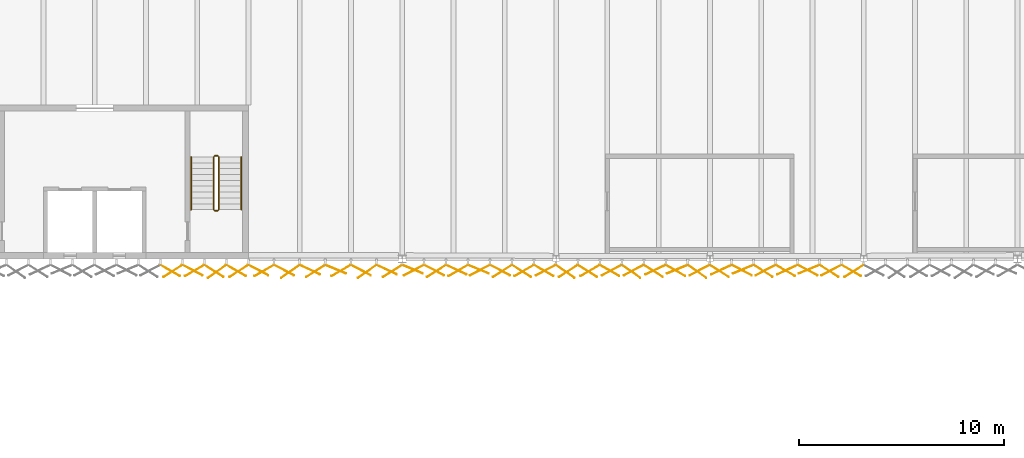
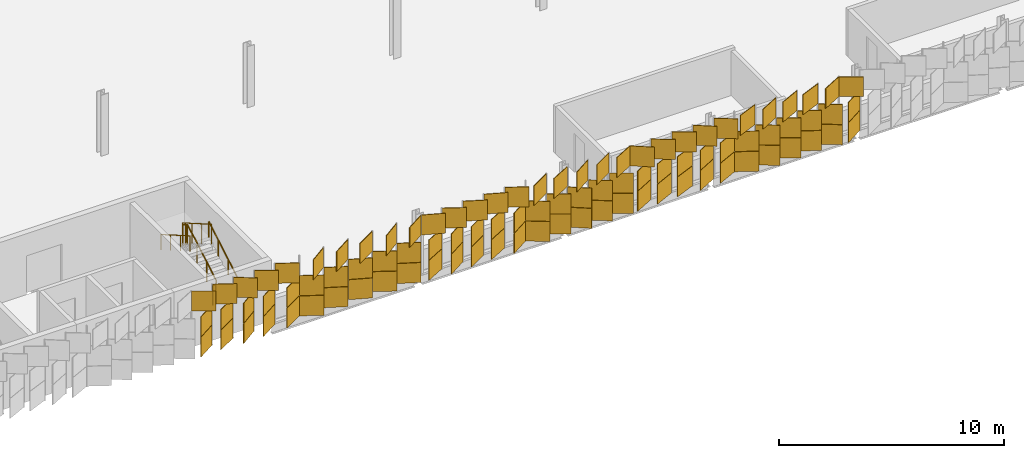
# One storey, part 183 of 198: 93 coverings, 6 railings.
"""IFC4 building model written with IfcOpenShell, lengths in metres."""

from ifc_helpers import new_model, si_unit, direction, frame, origin, origin_2d, place, context, subcontext, project, spatial, rectangle, circle, extrude, material, layer, layer_set, type_object, element, save


model = new_model("IFC4")

# Units and contexts
model_context = context("Model", 3, precision=1e-05, world=origin(), true_north=direction((0.0, 1.0)))
body_context = subcontext(model_context, "Body", "Model", "MODEL_VIEW")
ifc_project = project(units=[si_unit("LENGTHUNIT", "METRE"), si_unit("AREAUNIT", "SQUARE_METRE"), si_unit("VOLUMEUNIT", "CUBIC_METRE"), si_unit("PLANEANGLEUNIT", "RADIAN"), si_unit("MASSUNIT", "GRAM", prefix="KILO")], contexts=[model_context])

# Site, building, storey
site_placement = place(None, origin())
site = spatial("IfcSite", under=ifc_project, at=site_placement, CompositionType="ELEMENT")
building_placement = place(site_placement, origin())
building = spatial("IfcBuilding", under=site, at=building_placement, Name="Parallax Yard Mobility Hub", CompositionType="ELEMENT")
storey_placement = place(building_placement, frame((0.0, 0.0, 6.60009765625)))
storey = spatial("IfcBuildingStorey", under=building, at=storey_placement, Name="L02", CompositionType="ELEMENT", Elevation=6.60009765625)

# Coverings
ifc_material_1 = material(Name="Aluminium panel, champagne finish", Category="aluminium")
ifc_layer_1 = layer(ifc_material_1, 0.030029296875)
ifc_layer_set_1 = layer_set([ifc_layer_1], Name="Skin panel 22.5 degree turn, champagne finish")
covering_type_1 = type_object("IfcCoveringType", Name="Skin panel 22.5 degree turn, champagne finish", PredefinedType="CLADDING", material=ifc_layer_set_1)
for number, where, z_axis, x_axis, name in (
    (1, (86.755615234375, 111.987060546875, 1.119873046875), (0.0, 0.0, 1.0), (0.923879532511, -0.382683432365, 0.0), "Skin panel 22.5 bay 7.4 row 2 level L02"),
    (2, (90.50341796875, 111.987060546875, 2.219970703125), (0.0, 0.0, 1.0), (0.923879532511, -0.382683432365, 0.0), "Skin panel 22.5 bay 8.1 row 3 level L02"),
    (3, (93.718017578125, 111.987060546875, 2.219970703125), (0.0, 0.0, 1.0), (0.923879532511, -0.382683432365, 0.0), "Skin panel 22.5 bay 8.4 row 3 level L02"),
    (4, (103.40478515625, 111.987060546875, 1.119873046875), (0.0, 0.0, 1.0), (-0.923879532511, -0.382683432365, 0.0), "Skin panel 22.5 bay 9.6 row 2 level L02"),
    (5, (106.619384765625, 111.987060546875, 2.219970703125), (0.0, 0.0, 1.0), (-0.923879532511, -0.382683432365, 0.0), "Skin panel 22.5 bay 10.2 row 3 level L02"),
    (6, (109.833984375, 111.987060546875, 2.219970703125), (0.0, 0.0, 1.0), (-0.923879532511, -0.382683432365, 0.0), "Skin panel 22.5 bay 10.5 row 3 level L02"),
):
    element("IfcCovering", number, at=place(storey_placement, frame(where, z_axis=z_axis, x_axis=x_axis)), inside=storey, type_object=covering_type_1, Name=name, ObjectType="SCREEN", PredefinedType="CLADDING", context=body_context, shape_type="SweptSolid", body=[
        extrude(rectangle(XDim=1.080078125, YDim=0.030029296875, at=origin_2d()), origin(), (0.0, 0.0, 1.0), 1.080078125),
    ])
ifc_material_2 = material(Name="Aluminium panel, light oak finish", Category="aluminium")
ifc_layer_2 = layer(ifc_material_2, 0.030029296875)
ifc_layer_set_2 = layer_set([ifc_layer_2], Name="Skin panel 22.5 degree turn, oak finish")
covering_type_2 = type_object("IfcCoveringType", Name="Skin panel 22.5 degree turn, oak finish", PredefinedType="CLADDING", material=ifc_layer_set_2)
for number, where, z_axis, x_axis, name in (
    (7, (86.755615234375, 111.987060546875, 0.019775390625), (0.0, 0.0, 1.0), (0.923879532511, -0.382683432365, 0.0), "Skin panel 22.5 bay 7.4 row 1 level L02"),
    (8, (103.40478515625, 111.987060546875, 0.019775390625), (0.0, 0.0, 1.0), (-0.923879532511, -0.382683432365, 0.0), "Skin panel 22.5 bay 9.6 row 1 level L02"),
):
    element("IfcCovering", number, at=place(storey_placement, frame(where, z_axis=z_axis, x_axis=x_axis)), inside=storey, type_object=covering_type_2, Name=name, ObjectType="SCREEN", PredefinedType="CLADDING", context=body_context, shape_type="SweptSolid", body=[
        extrude(rectangle(XDim=1.080078125, YDim=0.030029296875, at=origin_2d()), origin(), (0.0, 0.0, 1.0), 1.080078125),
    ])
ifc_layer_3 = layer(ifc_material_1, 0.030029296875)
ifc_layer_set_3 = layer_set([ifc_layer_3], Name="Skin panel 25 degree turn, champagne finish")
covering_type_3 = type_object("IfcCoveringType", Name="Skin panel 25 degree turn, champagne finish", PredefinedType="CLADDING", material=ifc_layer_set_3)
for number, where, z_axis, x_axis, name in (
    (9, (85.49658203125, 111.96484375, 1.119873046875), (0.0, 0.0, 1.0), (0.906307787037, -0.422618261741, 0.0), "Skin panel 25 bay 7.3 row 2 level L02"),
    (10, (89.244384765625, 111.96484375, 1.119873046875), (0.0, 0.0, 1.0), (0.906307787037, -0.422618261741, 0.0), "Skin panel 25 bay 7.6 row 2 level L02"),
    (11, (92.63671875, 111.96484375, 2.219970703125), (0.0, 0.0, 1.0), (0.906307787037, -0.422618261741, 0.0), "Skin panel 25 bay 8.3 row 3 level L02"),
    (12, (102.34326171875, 111.96484375, 1.119873046875), (0.0, 0.0, 1.0), (-0.906307787037, -0.422618261741, 0.0), "Skin panel 25 bay 9.5 row 2 level L02"),
    (13, (105.5576171875, 111.96484375, 1.119873046875), (0.0, 0.0, 1.0), (-0.906307787037, -0.422618261741, 0.0), "Skin panel 25 bay 10.1 row 2 level L02"),
    (14, (108.772216796875, 111.96484375, 2.219970703125), (0.0, 0.0, 1.0), (-0.906307787037, -0.422618261741, 0.0), "Skin panel 25 bay 10.4 row 3 level L02"),
):
    element("IfcCovering", number, at=place(storey_placement, frame(where, z_axis=z_axis, x_axis=x_axis)), inside=storey, type_object=covering_type_3, Name=name, ObjectType="SCREEN", PredefinedType="CLADDING", context=body_context, shape_type="SweptSolid", body=[
        extrude(rectangle(XDim=1.080078125, YDim=0.030029296875, at=origin_2d()), origin(), (0.0, 0.0, 1.0), 1.080078125),
    ])
ifc_layer_4 = layer(ifc_material_2, 0.030029296875)
ifc_layer_set_4 = layer_set([ifc_layer_4], Name="Skin panel 25 degree turn, oak finish")
covering_type_4 = type_object("IfcCoveringType", Name="Skin panel 25 degree turn, oak finish", PredefinedType="CLADDING", material=ifc_layer_set_4)
for number, where, z_axis, x_axis, name in (
    (15, (85.49658203125, 111.96484375, 0.019775390625), (0.0, 0.0, 1.0), (0.906307787037, -0.422618261741, 0.0), "Skin panel 25 bay 7.3 row 1 level L02"),
    (16, (89.244384765625, 111.96484375, 0.019775390625), (0.0, 0.0, 1.0), (0.906307787037, -0.422618261741, 0.0), "Skin panel 25 bay 7.6 row 1 level L02"),
    (17, (102.34326171875, 111.96484375, 0.019775390625), (0.0, 0.0, 1.0), (-0.906307787037, -0.422618261741, 0.0), "Skin panel 25 bay 9.5 row 1 level L02"),
    (18, (105.5576171875, 111.96484375, 0.019775390625), (0.0, 0.0, 1.0), (-0.906307787037, -0.422618261741, 0.0), "Skin panel 25 bay 10.1 row 1 level L02"),
):
    element("IfcCovering", number, at=place(storey_placement, frame(where, z_axis=z_axis, x_axis=x_axis)), inside=storey, type_object=covering_type_4, Name=name, ObjectType="SCREEN", PredefinedType="CLADDING", context=body_context, shape_type="SweptSolid", body=[
        extrude(rectangle(XDim=1.080078125, YDim=0.030029296875, at=origin_2d()), origin(), (0.0, 0.0, 1.0), 1.080078125),
    ])
ifc_layer_5 = layer(ifc_material_1, 0.030029296875)
ifc_layer_set_5 = layer_set([ifc_layer_5], Name="Skin panel 27.5 degree turn, champagne finish")
covering_type_5 = type_object("IfcCoveringType", Name="Skin panel 27.5 degree turn, champagne finish", PredefinedType="CLADDING", material=ifc_layer_set_5)
for number, where, z_axis, x_axis, name in (
    (19, (79.770751953125, 111.943115234375, 2.219970703125), (0.0, 0.0, 1.0), (0.887010833178, -0.461748613235, 0.0), "Skin panel 27.5 bay 6.12 row 3 level L02"),
    (20, (82.9873046875, 111.943115234375, 2.219970703125), (0.0, 0.0, 1.0), (0.887010833178, -0.461748613235, 0.0), "Skin panel 27.5 bay 7.1 row 3 level L02"),
    (21, (84.236572265625, 111.943115234375, 1.119873046875), (0.0, 0.0, 1.0), (0.887010833178, -0.461748613235, 0.0), "Skin panel 27.5 bay 7.2 row 2 level L02"),
    (22, (87.984375, 111.943115234375, 1.119873046875), (0.0, 0.0, 1.0), (0.887010833178, -0.461748613235, 0.0), "Skin panel 27.5 bay 7.5 row 2 level L02"),
    (23, (90.5673828125, 111.943115234375, 1.119873046875), (0.0, 0.0, 1.0), (-0.887010833178, -0.461748613235, 0.0), "Skin panel 27.5 bay 8.1 row 2 level L02"),
    (24, (91.554443359375, 111.943115234375, 2.219970703125), (0.0, 0.0, 1.0), (0.887010833178, -0.461748613235, 0.0), "Skin panel 27.5 bay 8.2 row 3 level L02"),
    (25, (93.781982421875, 111.943115234375, 1.119873046875), (0.0, 0.0, 1.0), (-0.887010833178, -0.461748613235, 0.0), "Skin panel 27.5 bay 8.4 row 2 level L02"),
    (26, (94.768798828125, 111.943115234375, 2.219970703125), (0.0, 0.0, 1.0), (0.887010833178, -0.461748613235, 0.0), "Skin panel 27.5 bay 8.5 row 3 level L02"),
    (27, (96.996337890625, 111.943115234375, 2.219970703125), (0.0, 0.0, 1.0), (-0.887010833178, -0.461748613235, 0.0), "Skin panel 27.5 bay 8.7 row 3 level L02"),
    (28, (100.2109375, 111.943115234375, 2.219970703125), (0.0, 0.0, 1.0), (-0.887010833178, -0.461748613235, 0.0), "Skin panel 27.5 bay 9.3 row 3 level L02"),
    (29, (101.282470703125, 111.943115234375, 1.119873046875), (0.0, 0.0, 1.0), (-0.887010833178, -0.461748613235, 0.0), "Skin panel 27.5 bay 9.4 row 2 level L02"),
    (30, (104.496826171875, 111.943115234375, 1.119873046875), (0.0, 0.0, 1.0), (-0.887010833178, -0.461748613235, 0.0), "Skin panel 27.5 bay 9.7 row 2 level L02"),
    (31, (106.555419921875, 111.943115234375, 1.119873046875), (0.0, 0.0, 1.0), (0.887010833178, -0.461748613235, 0.0), "Skin panel 27.5 bay 10.2 row 2 level L02"),
    (32, (107.71142578125, 111.943115234375, 2.219970703125), (0.0, 0.0, 1.0), (-0.887010833178, -0.461748613235, 0.0), "Skin panel 27.5 bay 10.3 row 3 level L02"),
    (33, (109.77001953125, 111.943115234375, 1.119873046875), (0.0, 0.0, 1.0), (0.887010833178, -0.461748613235, 0.0), "Skin panel 27.5 bay 10.5 row 2 level L02"),
    (34, (110.926025390625, 111.943115234375, 2.219970703125), (0.0, 0.0, 1.0), (-0.887010833178, -0.461748613235, 0.0), "Skin panel 27.5 bay 10.6 row 3 level L02"),
):
    element("IfcCovering", number, at=place(storey_placement, frame(where, z_axis=z_axis, x_axis=x_axis)), inside=storey, type_object=covering_type_5, Name=name, ObjectType="SCREEN", PredefinedType="CLADDING", context=body_context, shape_type="SweptSolid", body=[
        extrude(rectangle(XDim=1.080078125, YDim=0.030029296875, at=origin_2d()), origin(), (0.0, 0.0, 1.0), 1.080078125),
    ])
ifc_layer_6 = layer(ifc_material_2, 0.030029296875)
ifc_layer_set_6 = layer_set([ifc_layer_6], Name="Skin panel 27.5 degree turn, oak finish")
covering_type_6 = type_object("IfcCoveringType", Name="Skin panel 27.5 degree turn, oak finish", PredefinedType="CLADDING", material=ifc_layer_set_6)
for number, where, z_axis, x_axis, name in (
    (35, (84.236572265625, 111.943115234375, 0.019775390625), (0.0, 0.0, 1.0), (0.887010833178, -0.461748613235, 0.0), "Skin panel 27.5 bay 7.2 row 1 level L02"),
    (36, (87.984375, 111.943115234375, 0.019775390625), (0.0, 0.0, 1.0), (0.887010833178, -0.461748613235, 0.0), "Skin panel 27.5 bay 7.5 row 1 level L02"),
    (37, (90.5673828125, 111.943115234375, 0.019775390625), (0.0, 0.0, 1.0), (-0.887010833178, -0.461748613235, 0.0), "Skin panel 27.5 bay 8.1 row 1 level L02"),
    (38, (93.781982421875, 111.943115234375, 0.019775390625), (0.0, 0.0, 1.0), (-0.887010833178, -0.461748613235, 0.0), "Skin panel 27.5 bay 8.4 row 1 level L02"),
    (39, (101.282470703125, 111.943115234375, 0.019775390625), (0.0, 0.0, 1.0), (-0.887010833178, -0.461748613235, 0.0), "Skin panel 27.5 bay 9.4 row 1 level L02"),
    (40, (104.496826171875, 111.943115234375, 0.019775390625), (0.0, 0.0, 1.0), (-0.887010833178, -0.461748613235, 0.0), "Skin panel 27.5 bay 9.7 row 1 level L02"),
    (41, (106.555419921875, 111.943115234375, 0.019775390625), (0.0, 0.0, 1.0), (0.887010833178, -0.461748613235, 0.0), "Skin panel 27.5 bay 10.2 row 1 level L02"),
    (42, (109.77001953125, 111.943115234375, 0.019775390625), (0.0, 0.0, 1.0), (0.887010833178, -0.461748613235, 0.0), "Skin panel 27.5 bay 10.5 row 1 level L02"),
):
    element("IfcCovering", number, at=place(storey_placement, frame(where, z_axis=z_axis, x_axis=x_axis)), inside=storey, type_object=covering_type_6, Name=name, ObjectType="SCREEN", PredefinedType="CLADDING", context=body_context, shape_type="SweptSolid", body=[
        extrude(rectangle(XDim=1.080078125, YDim=0.030029296875, at=origin_2d()), origin(), (0.0, 0.0, 1.0), 1.080078125),
    ])
ifc_layer_7 = layer(ifc_material_1, 0.030029296875)
ifc_layer_set_7 = layer_set([ifc_layer_7], Name="Skin panel 30 degree turn, champagne finish")
covering_type_7 = type_object("IfcCoveringType", Name="Skin panel 30 degree turn, champagne finish", PredefinedType="CLADDING", material=ifc_layer_set_7)
for number, where, z_axis, x_axis, name in (
    (43, (78.686767578125, 111.921875, 2.219970703125), (0.0, 0.0, 1.0), (0.866025403784, -0.5, 0.0), "Skin panel 30 bay 6.11 row 3 level L02"),
    (44, (79.86767578125, 111.921875, 1.119873046875), (0.0, 0.0, 1.0), (-0.866025403784, -0.5, 0.0), "Skin panel 30 bay 6.12 row 2 level L02"),
    (45, (81.903564453125, 111.921875, 2.219970703125), (0.0, 0.0, 1.0), (0.866025403784, -0.5, 0.0), "Skin panel 30 bay 6.14 row 3 level L02"),
    (46, (83.26123046875, 111.921875, 1.119873046875), (0.0, 0.0, 1.0), (-0.866025403784, -0.5, 0.0), "Skin panel 30 bay 7.1 row 2 level L02"),
    (47, (87.009033203125, 111.921875, 2.219970703125), (0.0, 0.0, 1.0), (-0.866025403784, -0.5, 0.0), "Skin panel 30 bay 7.4 row 3 level L02"),
    (48, (92.72216796875, 111.921875, 1.119873046875), (0.0, 0.0, 1.0), (-0.866025403784, -0.5, 0.0), "Skin panel 30 bay 8.3 row 2 level L02"),
    (49, (95.9365234375, 111.921875, 2.219970703125), (0.0, 0.0, 1.0), (-0.866025403784, -0.5, 0.0), "Skin panel 30 bay 8.6 row 3 level L02"),
    (50, (96.900146484375, 111.921875, 1.119873046875), (0.0, 0.0, 1.0), (0.866025403784, -0.5, 0.0), "Skin panel 30 bay 8.7 row 2 level L02"),
    (51, (99.151123046875, 111.921875, 2.219970703125), (0.0, 0.0, 1.0), (-0.866025403784, -0.5, 0.0), "Skin panel 30 bay 9.2 row 3 level L02"),
    (52, (100.11474609375, 111.921875, 1.119873046875), (0.0, 0.0, 1.0), (0.866025403784, -0.5, 0.0), "Skin panel 30 bay 9.3 row 2 level L02"),
    (53, (103.3291015625, 111.921875, 2.219970703125), (0.0, 0.0, 1.0), (0.866025403784, -0.5, 0.0), "Skin panel 30 bay 9.6 row 3 level L02"),
    (54, (108.686767578125, 111.921875, 1.119873046875), (0.0, 0.0, 1.0), (0.866025403784, -0.5, 0.0), "Skin panel 30 bay 10.4 row 2 level L02"),
    (55, (111.9013671875, 111.921875, 2.219970703125), (0.0, 0.0, 1.0), (0.866025403784, -0.5, 0.0), "Skin panel 30 bay 10.7 row 3 level L02"),
):
    element("IfcCovering", number, at=place(storey_placement, frame(where, z_axis=z_axis, x_axis=x_axis)), inside=storey, type_object=covering_type_7, Name=name, ObjectType="SCREEN", PredefinedType="CLADDING", context=body_context, shape_type="SweptSolid", body=[
        extrude(rectangle(XDim=1.080078125, YDim=0.030029296875, at=origin_2d()), origin(), (0.0, 0.0, 1.0), 1.080078125),
    ])
ifc_layer_8 = layer(ifc_material_2, 0.030029296875)
ifc_layer_set_8 = layer_set([ifc_layer_8], Name="Skin panel 30 degree turn, oak finish")
covering_type_8 = type_object("IfcCoveringType", Name="Skin panel 30 degree turn, oak finish", PredefinedType="CLADDING", material=ifc_layer_set_8)
for number, where, z_axis, x_axis, name in (
    (56, (79.86767578125, 111.921875, 0.019775390625), (0.0, 0.0, 1.0), (-0.866025403784, -0.5, 0.0), "Skin panel 30 bay 6.12 row 1 level L02"),
    (57, (83.26123046875, 111.921875, 0.019775390625), (0.0, 0.0, 1.0), (-0.866025403784, -0.5, 0.0), "Skin panel 30 bay 7.1 row 1 level L02"),
    (58, (92.72216796875, 111.921875, 0.019775390625), (0.0, 0.0, 1.0), (-0.866025403784, -0.5, 0.0), "Skin panel 30 bay 8.3 row 1 level L02"),
    (59, (96.900146484375, 111.921875, 0.019775390625), (0.0, 0.0, 1.0), (0.866025403784, -0.5, 0.0), "Skin panel 30 bay 8.7 row 1 level L02"),
    (60, (100.11474609375, 111.921875, 0.019775390625), (0.0, 0.0, 1.0), (0.866025403784, -0.5, 0.0), "Skin panel 30 bay 9.3 row 1 level L02"),
    (61, (108.686767578125, 111.921875, 0.019775390625), (0.0, 0.0, 1.0), (0.866025403784, -0.5, 0.0), "Skin panel 30 bay 10.4 row 1 level L02"),
):
    element("IfcCovering", number, at=place(storey_placement, frame(where, z_axis=z_axis, x_axis=x_axis)), inside=storey, type_object=covering_type_8, Name=name, ObjectType="SCREEN", PredefinedType="CLADDING", context=body_context, shape_type="SweptSolid", body=[
        extrude(rectangle(XDim=1.080078125, YDim=0.030029296875, at=origin_2d()), origin(), (0.0, 0.0, 1.0), 1.080078125),
    ])
ifc_layer_9 = layer(ifc_material_1, 0.030029296875)
ifc_layer_set_9 = layer_set([ifc_layer_9], Name="Skin panel 32.5 degree turn, champagne finish")
covering_type_9 = type_object("IfcCoveringType", Name="Skin panel 32.5 degree turn, champagne finish", PredefinedType="CLADDING", material=ifc_layer_set_9)
for number, where, z_axis, x_axis, name in (
    (62, (78.80810546875, 111.901123046875, 1.119873046875), (0.0, 0.0, 1.0), (-0.843391445813, -0.537299608347, 0.0), "Skin panel 32.5 bay 6.11 row 2 level L02"),
    (63, (80.818603515625, 111.901123046875, 2.219970703125), (0.0, 0.0, 1.0), (0.843391445813, -0.537299608347, 0.0), "Skin panel 32.5 bay 6.13 row 3 level L02"),
    (64, (82.024658203125, 111.901123046875, 1.119873046875), (0.0, 0.0, 1.0), (-0.843391445813, -0.537299608347, 0.0), "Skin panel 32.5 bay 6.14 row 2 level L02"),
    (65, (85.7724609375, 111.901123046875, 2.219970703125), (0.0, 0.0, 1.0), (-0.843391445813, -0.537299608347, 0.0), "Skin panel 32.5 bay 7.3 row 3 level L02"),
    (66, (89.520263671875, 111.901123046875, 2.219970703125), (0.0, 0.0, 1.0), (-0.843391445813, -0.537299608347, 0.0), "Skin panel 32.5 bay 7.6 row 3 level L02"),
    (67, (91.6630859375, 111.901123046875, 1.119873046875), (0.0, 0.0, 1.0), (-0.843391445813, -0.537299608347, 0.0), "Skin panel 32.5 bay 8.2 row 2 level L02"),
    (68, (94.877685546875, 111.901123046875, 1.119873046875), (0.0, 0.0, 1.0), (-0.843391445813, -0.537299608347, 0.0), "Skin panel 32.5 bay 8.5 row 2 level L02"),
    (69, (95.816162109375, 111.901123046875, 1.119873046875), (0.0, 0.0, 1.0), (0.843391445813, -0.537299608347, 0.0), "Skin panel 32.5 bay 8.6 row 2 level L02"),
    (70, (98.09228515625, 111.901123046875, 2.219970703125), (0.0, 0.0, 1.0), (-0.843391445813, -0.537299608347, 0.0), "Skin panel 32.5 bay 9.1 row 3 level L02"),
    (71, (99.030517578125, 111.901123046875, 1.119873046875), (0.0, 0.0, 1.0), (0.843391445813, -0.537299608347, 0.0), "Skin panel 32.5 bay 9.2 row 2 level L02"),
    (72, (102.2451171875, 111.901123046875, 2.219970703125), (0.0, 0.0, 1.0), (0.843391445813, -0.537299608347, 0.0), "Skin panel 32.5 bay 9.5 row 3 level L02"),
    (73, (105.459716796875, 111.901123046875, 2.219970703125), (0.0, 0.0, 1.0), (0.843391445813, -0.537299608347, 0.0), "Skin panel 32.5 bay 10.1 row 3 level L02"),
    (74, (107.602783203125, 111.901123046875, 1.119873046875), (0.0, 0.0, 1.0), (0.843391445813, -0.537299608347, 0.0), "Skin panel 32.5 bay 10.3 row 2 level L02"),
    (75, (110.817138671875, 111.901123046875, 1.119873046875), (0.0, 0.0, 1.0), (0.843391445813, -0.537299608347, 0.0), "Skin panel 32.5 bay 10.6 row 2 level L02"),
    (76, (112.021728515625, 111.901123046875, 1.119873046875), (0.0, 0.0, 1.0), (-0.843391445813, -0.537299608347, 0.0), "Skin panel 32.5 bay 10.7 row 2 level L02"),
):
    element("IfcCovering", number, at=place(storey_placement, frame(where, z_axis=z_axis, x_axis=x_axis)), inside=storey, type_object=covering_type_9, Name=name, ObjectType="SCREEN", PredefinedType="CLADDING", context=body_context, shape_type="SweptSolid", body=[
        extrude(rectangle(XDim=1.080078125, YDim=0.030029296875, at=origin_2d()), origin(), (0.0, 0.0, 1.0), 1.080078125),
    ])
ifc_layer_10 = layer(ifc_material_2, 0.030029296875)
ifc_layer_set_10 = layer_set([ifc_layer_10], Name="Skin panel 32.5 degree turn, oak finish")
covering_type_10 = type_object("IfcCoveringType", Name="Skin panel 32.5 degree turn, oak finish", PredefinedType="CLADDING", material=ifc_layer_set_10)
for number, where, z_axis, x_axis, name in (
    (77, (78.80810546875, 111.901123046875, 0.019775390625), (0.0, 0.0, 1.0), (-0.843391445813, -0.537299608347, 0.0), "Skin panel 32.5 bay 6.11 row 1 level L02"),
    (78, (82.024658203125, 111.901123046875, 0.019775390625), (0.0, 0.0, 1.0), (-0.843391445813, -0.537299608347, 0.0), "Skin panel 32.5 bay 6.14 row 1 level L02"),
    (79, (91.6630859375, 111.901123046875, 0.019775390625), (0.0, 0.0, 1.0), (-0.843391445813, -0.537299608347, 0.0), "Skin panel 32.5 bay 8.2 row 1 level L02"),
    (80, (94.877685546875, 111.901123046875, 0.019775390625), (0.0, 0.0, 1.0), (-0.843391445813, -0.537299608347, 0.0), "Skin panel 32.5 bay 8.5 row 1 level L02"),
    (81, (95.816162109375, 111.901123046875, 0.019775390625), (0.0, 0.0, 1.0), (0.843391445813, -0.537299608347, 0.0), "Skin panel 32.5 bay 8.6 row 1 level L02"),
    (82, (99.030517578125, 111.901123046875, 0.019775390625), (0.0, 0.0, 1.0), (0.843391445813, -0.537299608347, 0.0), "Skin panel 32.5 bay 9.2 row 1 level L02"),
    (83, (107.602783203125, 111.901123046875, 0.019775390625), (0.0, 0.0, 1.0), (0.843391445813, -0.537299608347, 0.0), "Skin panel 32.5 bay 10.3 row 1 level L02"),
    (84, (110.817138671875, 111.901123046875, 0.019775390625), (0.0, 0.0, 1.0), (0.843391445813, -0.537299608347, 0.0), "Skin panel 32.5 bay 10.6 row 1 level L02"),
    (85, (112.021728515625, 111.901123046875, 0.019775390625), (0.0, 0.0, 1.0), (-0.843391445813, -0.537299608347, 0.0), "Skin panel 32.5 bay 10.7 row 1 level L02"),
):
    element("IfcCovering", number, at=place(storey_placement, frame(where, z_axis=z_axis, x_axis=x_axis)), inside=storey, type_object=covering_type_10, Name=name, ObjectType="SCREEN", PredefinedType="CLADDING", context=body_context, shape_type="SweptSolid", body=[
        extrude(rectangle(XDim=1.080078125, YDim=0.030029296875, at=origin_2d()), origin(), (0.0, 0.0, 1.0), 1.080078125),
    ])
ifc_layer_11 = layer(ifc_material_1, 0.030029296875)
ifc_layer_set_11 = layer_set([ifc_layer_11], Name="Skin panel 35 degree turn, champagne finish")
covering_type_11 = type_object("IfcCoveringType", Name="Skin panel 35 degree turn, champagne finish", PredefinedType="CLADDING", material=ifc_layer_set_11)
for number, where, z_axis, x_axis, name in (
    (86, (80.9658203125, 111.880859375, 1.119873046875), (0.0, 0.0, 1.0), (-0.819152044289, -0.573576436351, 0.0), "Skin panel 35 bay 6.13 row 2 level L02"),
    (87, (84.53662109375, 111.880859375, 2.219970703125), (0.0, 0.0, 1.0), (-0.819152044289, -0.573576436351, 0.0), "Skin panel 35 bay 7.2 row 3 level L02"),
    (88, (88.284423828125, 111.880859375, 2.219970703125), (0.0, 0.0, 1.0), (-0.819152044289, -0.573576436351, 0.0), "Skin panel 35 bay 7.5 row 3 level L02"),
    (89, (97.94580078125, 111.880859375, 1.119873046875), (0.0, 0.0, 1.0), (0.819152044289, -0.573576436351, 0.0), "Skin panel 35 bay 9.1 row 2 level L02"),
    (90, (101.16015625, 111.880859375, 2.219970703125), (0.0, 0.0, 1.0), (0.819152044289, -0.573576436351, 0.0), "Skin panel 35 bay 9.4 row 3 level L02"),
    (91, (104.374755859375, 111.880859375, 2.219970703125), (0.0, 0.0, 1.0), (0.819152044289, -0.573576436351, 0.0), "Skin panel 35 bay 9.7 row 3 level L02"),
):
    element("IfcCovering", number, at=place(storey_placement, frame(where, z_axis=z_axis, x_axis=x_axis)), inside=storey, type_object=covering_type_11, Name=name, ObjectType="SCREEN", PredefinedType="CLADDING", context=body_context, shape_type="SweptSolid", body=[
        extrude(rectangle(XDim=1.080078125, YDim=0.030029296875, at=origin_2d()), origin(), (0.0, 0.0, 1.0), 1.080078125),
    ])
ifc_layer_12 = layer(ifc_material_2, 0.030029296875)
ifc_layer_set_12 = layer_set([ifc_layer_12], Name="Skin panel 35 degree turn, oak finish")
covering_type_12 = type_object("IfcCoveringType", Name="Skin panel 35 degree turn, oak finish", PredefinedType="CLADDING", material=ifc_layer_set_12)
for number, where, z_axis, x_axis, name in (
    (92, (80.9658203125, 111.880859375, 0.019775390625), (0.0, 0.0, 1.0), (-0.819152044289, -0.573576436351, 0.0), "Skin panel 35 bay 6.13 row 1 level L02"),
    (93, (97.94580078125, 111.880859375, 0.019775390625), (0.0, 0.0, 1.0), (0.819152044289, -0.573576436351, 0.0), "Skin panel 35 bay 9.1 row 1 level L02"),
):
    element("IfcCovering", number, at=place(storey_placement, frame(where, z_axis=z_axis, x_axis=x_axis)), inside=storey, type_object=covering_type_12, Name=name, ObjectType="SCREEN", PredefinedType="CLADDING", context=body_context, shape_type="SweptSolid", body=[
        extrude(rectangle(XDim=1.080078125, YDim=0.030029296875, at=origin_2d()), origin(), (0.0, 0.0, 1.0), 1.080078125),
    ])

# Railings
ifc_material_3 = material(Name="Steel ASTM A36", Category="steel")
railing_type_1 = type_object("IfcRailingType", Name="Stair guard 1100", PredefinedType="GUARDRAIL", material=ifc_material_3)
railing_1_placement = place(storey_placement, frame((81.050048828125, 114.89990234375, 0.164794921875)))
element("IfcRailing", 94, at=railing_1_placement, inside=storey, type_object=railing_type_1, Name="L02 ST3 stair guard 1", PredefinedType="GUARDRAIL", context=body_context, shape_type="SweptSolid", body=[
    extrude(circle(Radius=0.02392578125, at=origin_2d()), frame((0.0, 0.0, 1.076171875), z_axis=(0.0, 0.865426285481, 0.501036270542), x_axis=(-1.0, 0.0, 0.0)), (0.0, 0.0, 1.0), 2.964111328125),
    extrude(circle(Radius=0.02099609375, at=origin_2d()), origin(), (0.0, 0.0, 1.0), 1.052001953125),
    extrude(circle(Radius=0.02099609375, at=origin_2d()), frame((0.0, 0.85498046875, 0.4951171875)), (0.0, 0.0, 1.0), 1.052001953125),
    extrude(circle(Radius=0.02099609375, at=origin_2d()), frame((0.0, 1.710205078125, 0.989990234375)), (0.0, 0.0, 1.0), 1.052001953125),
    extrude(circle(Radius=0.02099609375, at=origin_2d()), frame((0.0, 2.565185546875, 1.485107421875)), (0.0, 0.0, 1.0), 1.052001953125),
])
railing_2_placement = place(storey_placement, frame((81.0, 117.514892578125, 1.64990234375)))
element("IfcRailing", 95, at=railing_2_placement, inside=storey, type_object=railing_type_1, Name="L02 ST3 stair guard 2", PredefinedType="GUARDRAIL", context=body_context, shape_type="SweptSolid", body=[
    extrude(circle(Radius=0.02392578125, at=origin_2d()), frame((0.0, 0.0, 1.076171875), z_axis=(-1.0, 0.0, 0.0), x_axis=(0.0, -1.0, 0.0)), (0.0, 0.0, 1.0), 0.14990234375),
    extrude(circle(Radius=0.02099609375, at=origin_2d()), origin(), (0.0, 0.0, 1.0), 1.052001953125),
    extrude(circle(Radius=0.02099609375, at=origin_2d()), frame((-0.14990234375, 0.0, 0.0)), (0.0, 0.0, 1.0), 1.052001953125),
])
railing_3_placement = place(storey_placement, frame((80.800048828125, 117.465087890625, 1.81494140625)))
element("IfcRailing", 96, at=railing_3_placement, inside=storey, type_object=railing_type_1, Name="L02 ST3 stair guard 3", PredefinedType="GUARDRAIL", context=body_context, shape_type="SweptSolid", body=[
    extrude(circle(Radius=0.02392578125, at=origin_2d()), frame((0.0, 0.0, 1.076171875), z_axis=(0.0, -0.865461999751, 0.500974577186), x_axis=(1.0, 0.0, 0.0)), (0.0, 0.0, 1.0), 2.9638671875),
    extrude(circle(Radius=0.02099609375, at=origin_2d()), origin(), (0.0, 0.0, 1.0), 1.052001953125),
    extrude(circle(Radius=0.02099609375, at=origin_2d()), frame((0.0, -0.85498046875, 0.494873046875)), (0.0, 0.0, 1.0), 1.052001953125),
    extrude(circle(Radius=0.02099609375, at=origin_2d()), frame((0.0, -1.710205078125, 0.989990234375)), (0.0, 0.0, 1.0), 1.052001953125),
    extrude(circle(Radius=0.02099609375, at=origin_2d()), frame((0.0, -2.565185546875, 1.48486328125)), (0.0, 0.0, 1.0), 1.052001953125),
])
railing_4_placement = place(storey_placement, frame((81.0, 114.85009765625, 0.0)))
element("IfcRailing", 97, at=railing_4_placement, inside=storey, type_object=railing_type_1, Name="L02 ST3 stair guard 4", PredefinedType="GUARDRAIL", context=body_context, shape_type="SweptSolid", body=[
    extrude(circle(Radius=0.02392578125, at=origin_2d()), frame((0.0, 0.0, 1.076171875), z_axis=(-1.0, 0.0, 0.0), x_axis=(0.0, -1.0, 0.0)), (0.0, 0.0, 1.0), 0.14990234375),
    extrude(circle(Radius=0.02099609375, at=origin_2d()), origin(), (0.0, 0.0, 1.0), 1.052001953125),
    extrude(circle(Radius=0.02099609375, at=origin_2d()), frame((-0.14990234375, 0.0, 0.0)), (0.0, 0.0, 1.0), 1.052001953125),
])
railing_type_2 = type_object("IfcRailingType", Name="Stair handrail", PredefinedType="HANDRAIL", material=ifc_material_3)
railing_5_placement = place(storey_placement, frame((82.14990234375, 114.89990234375, 0.164794921875)))
element("IfcRailing", 98, at=railing_5_placement, inside=storey, type_object=railing_type_2, Name="L02 ST3 stair handrail 1", PredefinedType="HANDRAIL", context=body_context, shape_type="SweptSolid", body=[
    extrude(circle(Radius=0.02392578125, at=origin_2d()), frame((0.0, 0.0, 0.8310546875), z_axis=(0.0, 0.865426285481, 0.501036270542), x_axis=(-1.0, 0.0, 0.0)), (0.0, 0.0, 1.0), 2.964111328125),
    extrude(circle(Radius=0.02099609375, at=origin_2d()), origin(), (0.0, 0.0, 1.0), 0.806884765625),
    extrude(circle(Radius=0.02099609375, at=origin_2d()), frame((0.0, 0.85498046875, 0.4951171875)), (0.0, 0.0, 1.0), 0.806884765625),
    extrude(circle(Radius=0.02099609375, at=origin_2d()), frame((0.0, 1.710205078125, 0.989990234375)), (0.0, 0.0, 1.0), 0.806884765625),
    extrude(circle(Radius=0.02099609375, at=origin_2d()), frame((0.0, 2.565185546875, 1.485107421875)), (0.0, 0.0, 1.0), 0.806884765625),
])
railing_6_placement = place(storey_placement, frame((79.699951171875, 117.465087890625, 1.81494140625)))
element("IfcRailing", 99, at=railing_6_placement, inside=storey, type_object=railing_type_2, Name="L02 ST3 stair handrail 2", PredefinedType="HANDRAIL", context=body_context, shape_type="SweptSolid", body=[
    extrude(circle(Radius=0.02392578125, at=origin_2d()), frame((0.0, 0.0, 0.8310546875), z_axis=(0.0, -0.865461999751, 0.500974577186), x_axis=(1.0, 0.0, 0.0)), (0.0, 0.0, 1.0), 2.9638671875),
    extrude(circle(Radius=0.02099609375, at=origin_2d()), origin(), (0.0, 0.0, 1.0), 0.806884765625),
    extrude(circle(Radius=0.02099609375, at=origin_2d()), frame((0.0, -0.85498046875, 0.494873046875)), (0.0, 0.0, 1.0), 0.806884765625),
    extrude(circle(Radius=0.02099609375, at=origin_2d()), frame((0.0, -1.710205078125, 0.989990234375)), (0.0, 0.0, 1.0), 0.806884765625),
    extrude(circle(Radius=0.02099609375, at=origin_2d()), frame((0.0, -2.565185546875, 1.48486328125)), (0.0, 0.0, 1.0), 0.806884765625),
])

save(model, "model.ifc")
